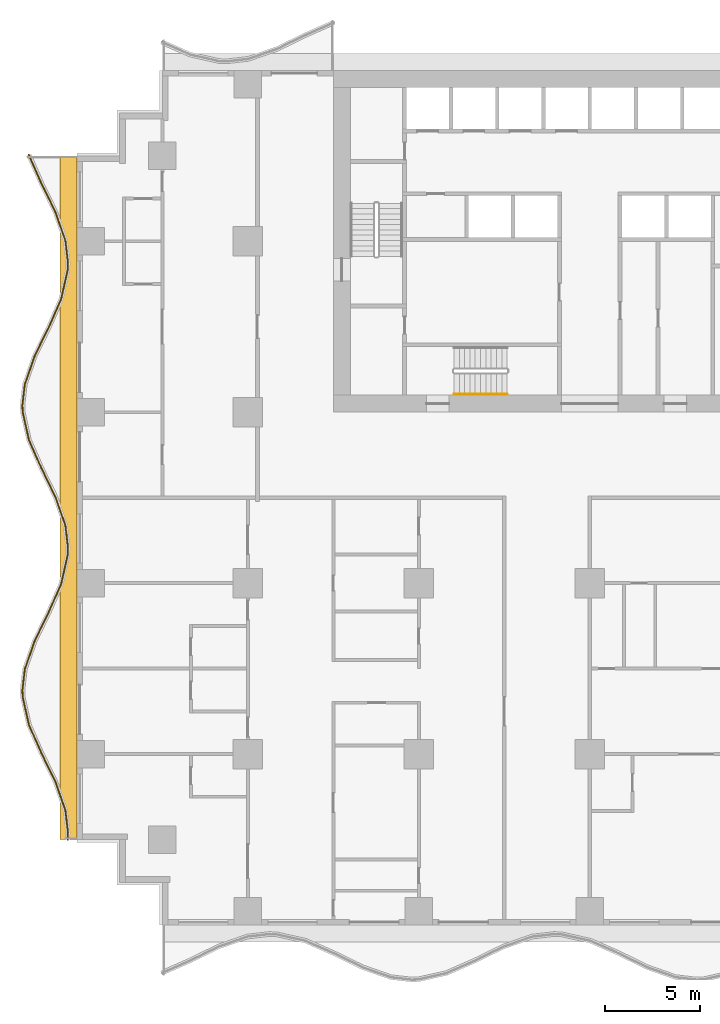
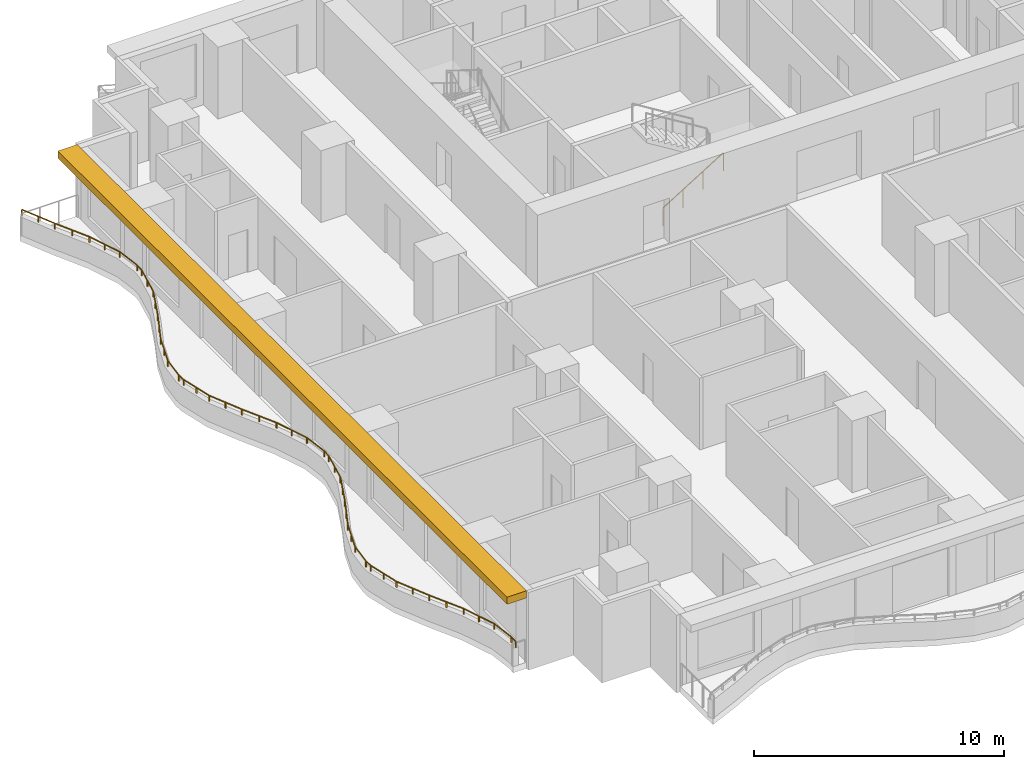
# One storey, part 9 of 14: 2 railings, 1 shading device.
"""IFC4 building model written with IfcOpenShell, lengths in metres."""

from ifc_helpers import new_model, si_unit, direction, frame, origin, origin_2d, place, context, subcontext, project, spatial, polyline, rectangle, circle, outline, extrude, material, layer, layer_set, type_object, element, save


model = new_model("IFC4")

# Units and contexts
model_context = context("Model", 3, precision=1e-05, world=origin(), true_north=direction((0.0, 1.0)))
body_context = subcontext(model_context, "Body", "Model", "MODEL_VIEW")
ifc_project = project(units=[si_unit("LENGTHUNIT", "METRE"), si_unit("AREAUNIT", "SQUARE_METRE"), si_unit("VOLUMEUNIT", "CUBIC_METRE"), si_unit("PLANEANGLEUNIT", "RADIAN"), si_unit("MASSUNIT", "GRAM", prefix="KILO")], contexts=[model_context])

# Site, building, storey
site_placement = place(None, origin())
site = spatial("IfcSite", under=ifc_project, at=site_placement, CompositionType="ELEMENT")
building_placement = place(site_placement, origin())
building = spatial("IfcBuilding", under=site, at=building_placement, Name="Orbiselva Terraces", CompositionType="ELEMENT")
storey_placement = place(building_placement, frame((0.0, 0.0, 26.4)))
storey = spatial("IfcBuildingStorey", under=building, at=storey_placement, Name="L06", CompositionType="ELEMENT", Elevation=26.4)

# Railings
ifc_material_1 = material(Name="Stainless steel", Category="steel")
railing_type_1 = type_object("IfcRailingType", Name="CORE-HANDRAIL-900", PredefinedType="HANDRAIL", material=ifc_material_1)
railing_1_placement = place(storey_placement, frame((-7.15, 5.45, 0.172727)))
element("IfcRailing", 1, at=railing_1_placement, inside=storey, type_object=railing_type_1, Name="L06 S3 stair handrail 1", PredefinedType="HANDRAIL", context=body_context, shape_type="SweptSolid", body=[
    extrude(circle(Radius=0.024, at=origin_2d()), frame((0.0, 0.0, 0.876), z_axis=(0.851088519012, 0.0, 0.52502222125), x_axis=(0.0, 1.0, 0.0)), (0.0, 0.0, 1.0), 3.289905),
    extrude(circle(Radius=0.021, at=origin_2d()), origin(), (0.0, 0.0, 1.0), 0.852),
    extrude(circle(Radius=0.021, at=origin_2d()), frame((0.933333, 0.0, 0.575758)), (0.0, 0.0, 1.0), 0.852),
    extrude(circle(Radius=0.021, at=origin_2d()), frame((1.866667, 0.0, 1.151515)), (0.0, 0.0, 1.0), 0.852),
    extrude(circle(Radius=0.021, at=origin_2d()), frame((2.8, 0.0, 1.727273)), (0.0, 0.0, 1.0), 0.852),
])
ifc_material_2 = material(Name="Bonded two-ply safety glass balustrade, stainless steel posts", Category="steel")
railing_type_2 = type_object("IfcRailingType", Name="ENV-BALUSTRADE-1200", PredefinedType="BALUSTRADE", material=ifc_material_2)
railing_2_placement = place(storey_placement, frame((-29.534136, 18.050394, 0.9)))
element("IfcRailing", 2, at=railing_2_placement, inside=storey, type_object=railing_type_2, Name="Balcony balustrade L06 W", PredefinedType="BALUSTRADE", context=body_context, shape_type="SweptSolid", body=[
    extrude(outline(polyline([(0.028868, 0.0), (0.014434, 0.025), (-0.014434, 0.025), (-0.028868, 0.0), (-0.014434, -0.025), (0.014434, -0.025), (0.028868, 0.0)])), frame((0.0, 0.0, 0.275), z_axis=(0.403150940408, -0.915133498047, 0.0), x_axis=(0.915133498047, 0.403150940408, 0.0)), (0.0, 0.0, 1.0), 1.636648),
    extrude(outline(polyline([(0.028868, 0.0), (0.014434, 0.025), (-0.014434, 0.025), (-0.028868, 0.0), (-0.014434, -0.025), (0.014434, -0.025), (0.028868, 0.0)])), frame((0.659816, -1.497751, 0.275), z_axis=(0.438812048596, -0.898578870221, 0.0), x_axis=(0.898578870221, 0.438812048596, 0.0)), (0.0, 0.0, 1.0), 1.674225),
    extrude(outline(polyline([(0.028868, 0.0), (0.014434, 0.025), (-0.014434, 0.025), (-0.028868, 0.0), (-0.014434, -0.025), (0.014434, -0.025), (0.028868, 0.0)])), frame((1.394486, -3.002174, 0.275), z_axis=(0.330024597479, -0.943972332783, 0.0), x_axis=(0.943972332783, 0.330024597479, 0.0)), (0.0, 0.0, 1.0), 1.610253),
    extrude(outline(polyline([(0.028868, 0.0), (0.014434, 0.025), (-0.014434, 0.025), (-0.028868, 0.0), (-0.014434, -0.025), (0.014434, -0.025), (0.028868, 0.0)])), frame((1.925909, -4.522208, 0.275), z_axis=(0.115482182324, -0.993309551734, 0.0), x_axis=(0.993309551734, 0.115482182324, 0.0)), (0.0, 0.0, 1.0), 1.156135),
    extrude(outline(polyline([(0.028868, 0.0), (0.014434, 0.025), (-0.014434, 0.025), (-0.028868, 0.0), (-0.014434, -0.025), (0.014434, -0.025), (0.028868, 0.0)])), frame((2.059422, -5.670608, 0.275), z_axis=(-0.03936915532, -0.999224734286, 0.0), x_axis=(0.999224734286, -0.03936915532, 0.0)), (0.0, 0.0, 1.0), 0.396376),
    extrude(outline(polyline([(0.028868, 0.0), (0.014434, 0.025), (-0.014434, 0.025), (-0.028868, 0.0), (-0.014434, -0.025), (0.014434, -0.025), (0.028868, 0.0)])), frame((2.043817, -6.066677, 0.275), z_axis=(-0.219015500924, -0.97572137947, 0.0), x_axis=(0.97572137947, -0.219015500924, 0.0)), (0.0, 0.0, 1.0), 1.560867),
    extrude(outline(polyline([(0.028868, 0.0), (0.014434, 0.025), (-0.014434, 0.025), (-0.028868, 0.0), (-0.014434, -0.025), (0.014434, -0.025), (0.028868, 0.0)])), frame((1.701963, -7.589648, 0.275), z_axis=(-0.403150874148, -0.915133527237, 0.0), x_axis=(0.915133527237, -0.403150874148, 0.0)), (0.0, 0.0, 1.0), 1.653736),
    extrude(outline(polyline([(0.028868, 0.0), (0.014434, 0.025), (-0.014434, 0.025), (-0.028868, 0.0), (-0.014434, -0.025), (0.014434, -0.025), (0.028868, 0.0)])), frame((1.035258, -9.103037, 0.275), z_axis=(-0.438811978768, -0.89857890432, 0.0), x_axis=(0.89857890432, -0.438811978768, 0.0)), (0.0, 0.0, 1.0), 1.66438),
    extrude(outline(polyline([(0.028868, 0.0), (0.014434, 0.025), (-0.014434, 0.025), (-0.028868, 0.0), (-0.014434, -0.025), (0.014434, -0.025), (0.028868, 0.0)])), frame((0.304908, -10.598614, 0.275), z_axis=(-0.330024754707, -0.943972277814, 0.0), x_axis=(0.943972277814, -0.330024754707, 0.0)), (0.0, 0.0, 1.0), 1.567807),
    extrude(outline(polyline([(0.028868, 0.0), (0.014434, 0.025), (-0.014434, 0.025), (-0.028868, 0.0), (-0.014434, -0.025), (0.014434, -0.025), (0.028868, 0.0)])), frame((-0.212507, -12.07858, 0.275), z_axis=(-0.115481264762, -0.993309658409, 0.0), x_axis=(0.993309658409, -0.115481264762, 0.0)), (0.0, 0.0, 1.0), 1.10902),
    extrude(outline(polyline([(0.028868, 0.0), (0.014434, 0.025), (-0.014434, 0.025), (-0.028868, 0.0), (-0.014434, -0.025), (0.014434, -0.025), (0.028868, 0.0)])), frame((-0.340578, -13.18018, 0.275), z_axis=(0.039364150694, -0.999224931454, 0.0), x_axis=(0.999224931454, 0.039364150694, 0.0)), (0.0, 0.0, 1.0), 0.354206),
    extrude(outline(polyline([(0.028868, 0.0), (0.014434, 0.025), (-0.014434, 0.025), (-0.028868, 0.0), (-0.014434, -0.025), (0.014434, -0.025), (0.028868, 0.0)])), frame((-0.326635, -13.534111, 0.275), z_axis=(0.219015740235, -0.975721325753, 0.0), x_axis=(0.975721325753, 0.219015740235, 0.0)), (0.0, 0.0, 1.0), 1.513782),
    extrude(outline(polyline([(0.028868, 0.0), (0.014434, 0.025), (-0.014434, 0.025), (-0.028868, 0.0), (-0.014434, -0.025), (0.014434, -0.025), (0.028868, 0.0)])), frame((0.004907, -15.01114, 0.275), z_axis=(0.403151245402, -0.915133363686, 0.0), x_axis=(0.915133363686, 0.403151245402, 0.0)), (0.0, 0.0, 1.0), 1.624475),
    extrude(outline(polyline([(0.028868, 0.0), (0.014434, 0.025), (-0.014434, 0.025), (-0.028868, 0.0), (-0.014434, -0.025), (0.014434, -0.025), (0.028868, 0.0)])), frame((0.659816, -16.497751, 0.275), z_axis=(0.438812048596, -0.898578870221, 0.0), x_axis=(0.898578870221, 0.438812048596, 0.0)), (0.0, 0.0, 1.0), 1.674225),
    extrude(outline(polyline([(0.028868, 0.0), (0.014434, 0.025), (-0.014434, 0.025), (-0.028868, 0.0), (-0.014434, -0.025), (0.014434, -0.025), (0.028868, 0.0)])), frame((1.394486, -18.002174, 0.275), z_axis=(0.330024597479, -0.943972332783, 0.0), x_axis=(0.943972332783, 0.330024597479, 0.0)), (0.0, 0.0, 1.0), 1.610253),
    extrude(outline(polyline([(0.028868, 0.0), (0.014434, 0.025), (-0.014434, 0.025), (-0.028868, 0.0), (-0.014434, -0.025), (0.014434, -0.025), (0.028868, 0.0)])), frame((1.925909, -19.522208, 0.275), z_axis=(0.115482182324, -0.993309551734, 0.0), x_axis=(0.993309551734, 0.115482182324, 0.0)), (0.0, 0.0, 1.0), 1.156135),
    extrude(outline(polyline([(0.028868, 0.0), (0.014434, 0.025), (-0.014434, 0.025), (-0.028868, 0.0), (-0.014434, -0.025), (0.014434, -0.025), (0.028868, 0.0)])), frame((2.059422, -20.670608, 0.275), z_axis=(-0.03936915532, -0.999224734286, 0.0), x_axis=(0.999224734286, -0.03936915532, 0.0)), (0.0, 0.0, 1.0), 0.396376),
    extrude(outline(polyline([(0.028868, 0.0), (0.014434, 0.025), (-0.014434, 0.025), (-0.028868, 0.0), (-0.014434, -0.025), (0.014434, -0.025), (0.028868, 0.0)])), frame((2.043817, -21.066677, 0.275), z_axis=(-0.219015500924, -0.97572137947, 0.0), x_axis=(0.97572137947, -0.219015500924, 0.0)), (0.0, 0.0, 1.0), 1.560867),
    extrude(outline(polyline([(0.028868, 0.0), (0.014434, 0.025), (-0.014434, 0.025), (-0.028868, 0.0), (-0.014434, -0.025), (0.014434, -0.025), (0.028868, 0.0)])), frame((1.701963, -22.589648, 0.275), z_axis=(-0.403150874148, -0.915133527237, 0.0), x_axis=(0.915133527237, -0.403150874148, 0.0)), (0.0, 0.0, 1.0), 1.653736),
    extrude(outline(polyline([(0.028868, 0.0), (0.014434, 0.025), (-0.014434, 0.025), (-0.028868, 0.0), (-0.014434, -0.025), (0.014434, -0.025), (0.028868, 0.0)])), frame((1.035258, -24.103037, 0.275), z_axis=(-0.438811978768, -0.89857890432, 0.0), x_axis=(0.89857890432, -0.438811978768, 0.0)), (0.0, 0.0, 1.0), 1.66438),
    extrude(outline(polyline([(0.028868, 0.0), (0.014434, 0.025), (-0.014434, 0.025), (-0.028868, 0.0), (-0.014434, -0.025), (0.014434, -0.025), (0.028868, 0.0)])), frame((0.304908, -25.598614, 0.275), z_axis=(-0.330024754707, -0.943972277814, 0.0), x_axis=(0.943972277814, -0.330024754707, 0.0)), (0.0, 0.0, 1.0), 1.567807),
    extrude(outline(polyline([(0.028868, 0.0), (0.014434, 0.025), (-0.014434, 0.025), (-0.028868, 0.0), (-0.014434, -0.025), (0.014434, -0.025), (0.028868, 0.0)])), frame((-0.212507, -27.07858, 0.275), z_axis=(-0.115481264762, -0.993309658409, 0.0), x_axis=(0.993309658409, -0.115481264762, 0.0)), (0.0, 0.0, 1.0), 1.10902),
    extrude(outline(polyline([(0.028868, 0.0), (0.014434, 0.025), (-0.014434, 0.025), (-0.028868, 0.0), (-0.014434, -0.025), (0.014434, -0.025), (0.028868, 0.0)])), frame((-0.340578, -28.18018, 0.275), z_axis=(0.039364150694, -0.999224931454, 0.0), x_axis=(0.999224931454, 0.039364150694, 0.0)), (0.0, 0.0, 1.0), 0.354206),
    extrude(outline(polyline([(0.028868, 0.0), (0.014434, 0.025), (-0.014434, 0.025), (-0.028868, 0.0), (-0.014434, -0.025), (0.014434, -0.025), (0.028868, 0.0)])), frame((-0.326635, -28.534111, 0.275), z_axis=(0.219015740235, -0.975721325753, 0.0), x_axis=(0.975721325753, 0.219015740235, 0.0)), (0.0, 0.0, 1.0), 1.513782),
    extrude(outline(polyline([(0.028868, 0.0), (0.014434, 0.025), (-0.014434, 0.025), (-0.028868, 0.0), (-0.014434, -0.025), (0.014434, -0.025), (0.028868, 0.0)])), frame((0.004907, -30.01114, 0.275), z_axis=(0.403151245402, -0.915133363686, 0.0), x_axis=(0.915133363686, 0.403151245402, 0.0)), (0.0, 0.0, 1.0), 1.624475),
    extrude(outline(polyline([(0.028868, 0.0), (0.014434, 0.025), (-0.014434, 0.025), (-0.028868, 0.0), (-0.014434, -0.025), (0.014434, -0.025), (0.028868, 0.0)])), frame((0.659816, -31.497751, 0.275), z_axis=(0.438812048596, -0.898578870221, 0.0), x_axis=(0.898578870221, 0.438812048596, 0.0)), (0.0, 0.0, 1.0), 1.674225),
    extrude(outline(polyline([(0.028868, 0.0), (0.014434, 0.025), (-0.014434, 0.025), (-0.028868, 0.0), (-0.014434, -0.025), (0.014434, -0.025), (0.028868, 0.0)])), frame((1.394486, -33.002174, 0.275), z_axis=(0.330024597479, -0.943972332783, 0.0), x_axis=(0.943972332783, 0.330024597479, 0.0)), (0.0, 0.0, 1.0), 1.610253),
    extrude(outline(polyline([(0.028868, 0.0), (0.014434, 0.025), (-0.014434, 0.025), (-0.028868, 0.0), (-0.014434, -0.025), (0.014434, -0.025), (0.028868, 0.0)])), frame((1.925909, -34.522208, 0.275), z_axis=(0.115482182324, -0.993309551734, 0.0), x_axis=(0.993309551734, 0.115482182324, 0.0)), (0.0, 0.0, 1.0), 1.156135),
    extrude(outline(polyline([(0.028868, 0.0), (0.014434, 0.025), (-0.014434, 0.025), (-0.028868, 0.0), (-0.014434, -0.025), (0.014434, -0.025), (0.028868, 0.0)])), frame((2.059422, -35.670608, 0.275), z_axis=(-0.039368272023, -0.999224769087, 0.0), x_axis=(0.999224769087, -0.039368272023, 0.0)), (0.0, 0.0, 1.0), 0.385005),
    extrude(rectangle(XDim=0.05, YDim=0.05, at=origin_2d()), origin(), (0.0, 0.0, 1.0), 0.25),
    extrude(rectangle(XDim=0.05, YDim=0.05, at=origin_2d()), frame((0.329908, -0.748876, 0.0)), (0.0, 0.0, 1.0), 0.25),
    extrude(rectangle(XDim=0.05, YDim=0.05, at=origin_2d()), frame((0.659816, -1.497751, 0.0)), (0.0, 0.0, 1.0), 0.25),
    extrude(rectangle(XDim=0.05, YDim=0.05, at=origin_2d()), frame((1.027151, -2.249963, 0.0)), (0.0, 0.0, 1.0), 0.25),
    extrude(rectangle(XDim=0.05, YDim=0.05, at=origin_2d()), frame((1.394486, -3.002174, 0.0)), (0.0, 0.0, 1.0), 0.25),
    extrude(rectangle(XDim=0.05, YDim=0.05, at=origin_2d()), frame((1.660198, -3.762191, 0.0)), (0.0, 0.0, 1.0), 0.25),
    extrude(rectangle(XDim=0.05, YDim=0.05, at=origin_2d()), frame((1.925909, -4.522208, 0.0)), (0.0, 0.0, 1.0), 0.25),
    extrude(rectangle(XDim=0.05, YDim=0.05, at=origin_2d()), frame((2.059422, -5.670608, 0.0)), (0.0, 0.0, 1.0), 0.25),
    extrude(rectangle(XDim=0.05, YDim=0.05, at=origin_2d()), frame((2.043817, -6.066677, 0.0)), (0.0, 0.0, 1.0), 0.25),
    extrude(rectangle(XDim=0.05, YDim=0.05, at=origin_2d()), frame((1.87289, -6.828162, 0.0)), (0.0, 0.0, 1.0), 0.25),
    extrude(rectangle(XDim=0.05, YDim=0.05, at=origin_2d()), frame((1.701963, -7.589648, 0.0)), (0.0, 0.0, 1.0), 0.25),
    extrude(rectangle(XDim=0.05, YDim=0.05, at=origin_2d()), frame((1.36861, -8.346342, 0.0)), (0.0, 0.0, 1.0), 0.25),
    extrude(rectangle(XDim=0.05, YDim=0.05, at=origin_2d()), frame((1.035258, -9.103037, 0.0)), (0.0, 0.0, 1.0), 0.25),
    extrude(rectangle(XDim=0.05, YDim=0.05, at=origin_2d()), frame((0.670083, -9.850826, 0.0)), (0.0, 0.0, 1.0), 0.25),
    extrude(rectangle(XDim=0.05, YDim=0.05, at=origin_2d()), frame((0.304908, -10.598614, 0.0)), (0.0, 0.0, 1.0), 0.25),
    extrude(rectangle(XDim=0.05, YDim=0.05, at=origin_2d()), frame((0.046201, -11.338597, 0.0)), (0.0, 0.0, 1.0), 0.25),
    extrude(rectangle(XDim=0.05, YDim=0.05, at=origin_2d()), frame((-0.212507, -12.07858, 0.0)), (0.0, 0.0, 1.0), 0.25),
    extrude(rectangle(XDim=0.05, YDim=0.05, at=origin_2d()), frame((-0.340578, -13.18018, 0.0)), (0.0, 0.0, 1.0), 0.25),
    extrude(rectangle(XDim=0.05, YDim=0.05, at=origin_2d()), frame((-0.326635, -13.534111, 0.0)), (0.0, 0.0, 1.0), 0.25),
    extrude(rectangle(XDim=0.05, YDim=0.05, at=origin_2d()), frame((-0.160864, -14.272626, 0.0)), (0.0, 0.0, 1.0), 0.25),
    extrude(rectangle(XDim=0.05, YDim=0.05, at=origin_2d()), frame((0.004907, -15.01114, 0.0)), (0.0, 0.0, 1.0), 0.25),
    extrude(rectangle(XDim=0.05, YDim=0.05, at=origin_2d()), frame((0.332361, -15.754446, 0.0)), (0.0, 0.0, 1.0), 0.25),
    extrude(rectangle(XDim=0.05, YDim=0.05, at=origin_2d()), frame((0.659816, -16.497751, 0.0)), (0.0, 0.0, 1.0), 0.25),
    extrude(rectangle(XDim=0.05, YDim=0.05, at=origin_2d()), frame((1.027151, -17.249963, 0.0)), (0.0, 0.0, 1.0), 0.25),
    extrude(rectangle(XDim=0.05, YDim=0.05, at=origin_2d()), frame((1.394486, -18.002174, 0.0)), (0.0, 0.0, 1.0), 0.25),
    extrude(rectangle(XDim=0.05, YDim=0.05, at=origin_2d()), frame((1.660198, -18.762191, 0.0)), (0.0, 0.0, 1.0), 0.25),
    extrude(rectangle(XDim=0.05, YDim=0.05, at=origin_2d()), frame((1.925909, -19.522208, 0.0)), (0.0, 0.0, 1.0), 0.25),
    extrude(rectangle(XDim=0.05, YDim=0.05, at=origin_2d()), frame((2.059422, -20.670608, 0.0)), (0.0, 0.0, 1.0), 0.25),
    extrude(rectangle(XDim=0.05, YDim=0.05, at=origin_2d()), frame((2.043817, -21.066677, 0.0)), (0.0, 0.0, 1.0), 0.25),
    extrude(rectangle(XDim=0.05, YDim=0.05, at=origin_2d()), frame((1.87289, -21.828162, 0.0)), (0.0, 0.0, 1.0), 0.25),
    extrude(rectangle(XDim=0.05, YDim=0.05, at=origin_2d()), frame((1.701963, -22.589648, 0.0)), (0.0, 0.0, 1.0), 0.25),
    extrude(rectangle(XDim=0.05, YDim=0.05, at=origin_2d()), frame((1.36861, -23.346342, 0.0)), (0.0, 0.0, 1.0), 0.25),
    extrude(rectangle(XDim=0.05, YDim=0.05, at=origin_2d()), frame((1.035258, -24.103037, 0.0)), (0.0, 0.0, 1.0), 0.25),
    extrude(rectangle(XDim=0.05, YDim=0.05, at=origin_2d()), frame((0.670083, -24.850826, 0.0)), (0.0, 0.0, 1.0), 0.25),
    extrude(rectangle(XDim=0.05, YDim=0.05, at=origin_2d()), frame((0.304908, -25.598614, 0.0)), (0.0, 0.0, 1.0), 0.25),
    extrude(rectangle(XDim=0.05, YDim=0.05, at=origin_2d()), frame((0.046201, -26.338597, 0.0)), (0.0, 0.0, 1.0), 0.25),
    extrude(rectangle(XDim=0.05, YDim=0.05, at=origin_2d()), frame((-0.212507, -27.07858, 0.0)), (0.0, 0.0, 1.0), 0.25),
    extrude(rectangle(XDim=0.05, YDim=0.05, at=origin_2d()), frame((-0.340578, -28.18018, 0.0)), (0.0, 0.0, 1.0), 0.25),
    extrude(rectangle(XDim=0.05, YDim=0.05, at=origin_2d()), frame((-0.326635, -28.534111, 0.0)), (0.0, 0.0, 1.0), 0.25),
    extrude(rectangle(XDim=0.05, YDim=0.05, at=origin_2d()), frame((-0.160864, -29.272626, 0.0)), (0.0, 0.0, 1.0), 0.25),
    extrude(rectangle(XDim=0.05, YDim=0.05, at=origin_2d()), frame((0.004907, -30.01114, 0.0)), (0.0, 0.0, 1.0), 0.25),
    extrude(rectangle(XDim=0.05, YDim=0.05, at=origin_2d()), frame((0.332361, -30.754446, 0.0)), (0.0, 0.0, 1.0), 0.25),
    extrude(rectangle(XDim=0.05, YDim=0.05, at=origin_2d()), frame((0.659816, -31.497751, 0.0)), (0.0, 0.0, 1.0), 0.25),
    extrude(rectangle(XDim=0.05, YDim=0.05, at=origin_2d()), frame((1.027151, -32.249962, 0.0)), (0.0, 0.0, 1.0), 0.25),
    extrude(rectangle(XDim=0.05, YDim=0.05, at=origin_2d()), frame((1.394486, -33.002174, 0.0)), (0.0, 0.0, 1.0), 0.25),
    extrude(rectangle(XDim=0.05, YDim=0.05, at=origin_2d()), frame((1.660198, -33.762191, 0.0)), (0.0, 0.0, 1.0), 0.25),
    extrude(rectangle(XDim=0.05, YDim=0.05, at=origin_2d()), frame((1.925909, -34.522208, 0.0)), (0.0, 0.0, 1.0), 0.25),
    extrude(rectangle(XDim=0.05, YDim=0.05, at=origin_2d()), frame((2.059422, -35.670608, 0.0)), (0.0, 0.0, 1.0), 0.25),
    extrude(rectangle(XDim=0.05, YDim=0.05, at=origin_2d()), frame((2.044265, -36.055315, 0.0)), (0.0, 0.0, 1.0), 0.25),
])

# Shading device
ifc_material_3 = material(Name="Terracotta baguette sunshade", Category="masonry")
ifc_layer = layer(ifc_material_3, 0.35)
ifc_layer_set = layer_set([ifc_layer], Name="Terracotta baguette sunshade")
shading_device_type = type_object("IfcShadingDeviceType", Name="ENV-SUNSHADE-900x350", PredefinedType="USERDEFINED", material=ifc_layer_set)
shading_device_placement = place(storey_placement, frame((0.0, 0.0, 3.15)))
element("IfcShadingDevice", 3, at=shading_device_placement, inside=storey, type_object=shading_device_type, Name="Sunshade band L06 W", ObjectType="SUNSHADE", PredefinedType="USERDEFINED", context=body_context, shape_type="SweptSolid", body=[
    extrude(outline(polyline([(-27.9, 18.0), (-27.9, -18.0), (-27.0, -18.0), (-27.0, 18.0), (-27.9, 18.0)])), origin(), (0.0, 0.0, 1.0), 0.35),
])

save(model, "model.ifc")
